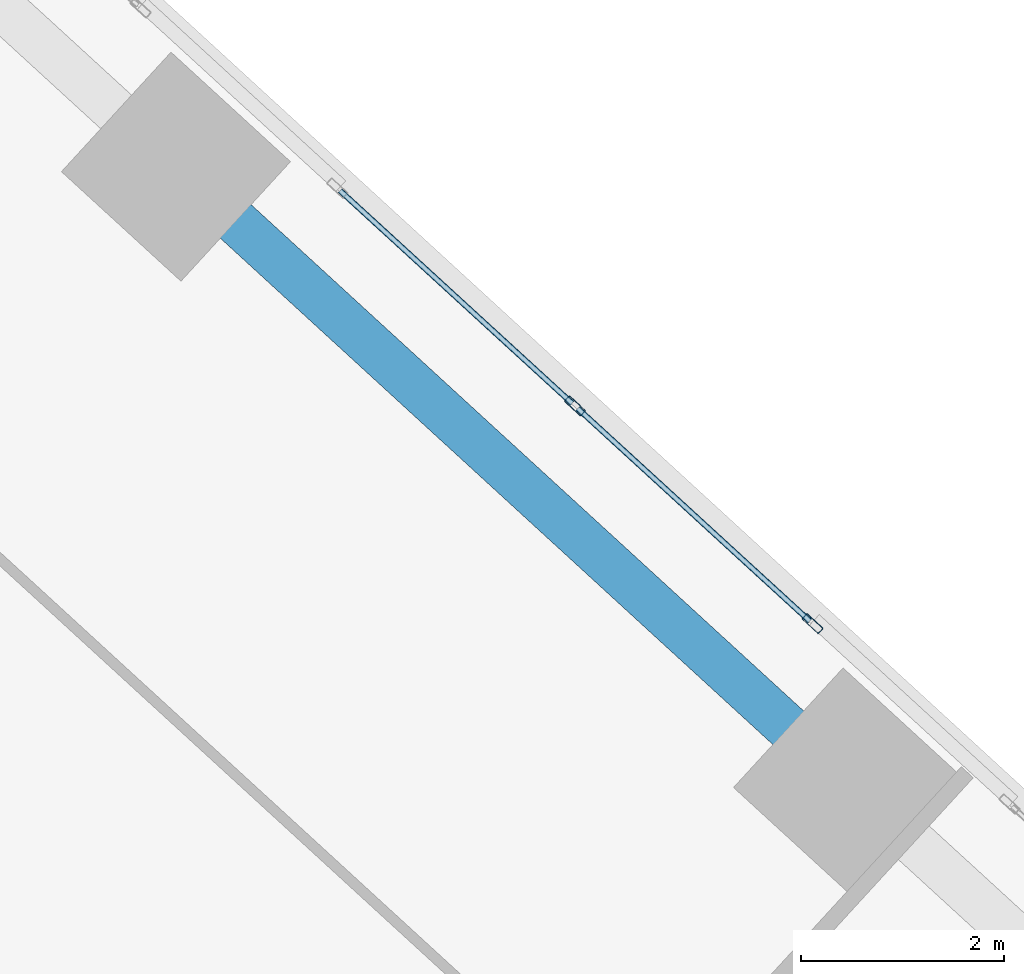
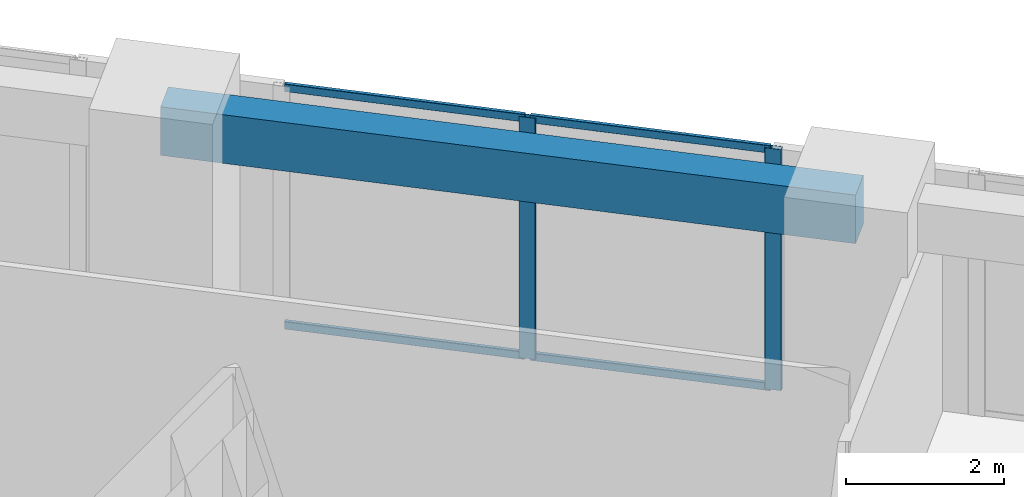
# One storey, part 11 of 18: 6 members, 1 beam, 1 element without a shape of its own.
"""IFC4 building model written with IfcOpenShell, lengths in metres."""

from ifc_helpers import new_model, si_unit, direction, frame, origin, origin_2d, place, context, subcontext, project, spatial, rectangle, hollow_rectangle, extrude, source, transform, mapped, material, material_profile, profile_set, type_object, element, aggregate, save


model = new_model("IFC4")

# Units and contexts
model_context = context("Model", 3, precision=1e-05, world=origin(), true_north=direction((0.0, 1.0)))
body_context = subcontext(model_context, "Body", "Model", "MODEL_VIEW")
ifc_project = project(units=[si_unit("LENGTHUNIT", "METRE"), si_unit("AREAUNIT", "SQUARE_METRE"), si_unit("VOLUMEUNIT", "CUBIC_METRE"), si_unit("PLANEANGLEUNIT", "RADIAN"), si_unit("MASSUNIT", "GRAM", prefix="KILO")], contexts=[model_context])

# Site, building, storey
site_placement = place(None, origin())
site = spatial("IfcSite", under=ifc_project, at=site_placement, CompositionType="ELEMENT")
building_placement = place(site_placement, origin())
building = spatial("IfcBuilding", under=site, at=building_placement, Name="Torre Montelarca", CompositionType="ELEMENT")
storey_placement = place(building_placement, frame((0.0, 0.0, 237.39990234375)))
storey = spatial("IfcBuildingStorey", under=building, at=storey_placement, Name="L53", CompositionType="ELEMENT", Elevation=237.39990234375)

# Beam
ifc_material_1 = material(Name="Concrete C55/67", Category="concrete")
ifc_material_profile_1 = material_profile(ifc_material_1, rectangle(XDim=0.449951171875, YDim=0.75, at=origin_2d()), Name="RCB450X750", Category="concrete")
ifc_profile_set_1 = profile_set([ifc_material_profile_1], Name="Concrete C55/67")
beam_type = type_object("IfcBeamType", Name="BM-SP-RC750-EXT", PredefinedType="SPANDREL", material=ifc_profile_set_1)
shared_shape_1 = source(origin(), body_context, "Body", "SweptSolid", [
    extrude(rectangle(XDim=0.449951171875, YDim=0.75, at=origin_2d()), origin(), (0.0, 0.0, 1.0), 8.999755859375),
])
beam_placement = place(storey_placement, frame((29.15478515625, 45.5341796875, 3.585205078125), z_axis=(0.737290375454, -0.675575978157, 0.0), x_axis=(0.675575978157, 0.737290375454, 0.0)))
element("IfcBeam", 1, at=beam_placement, inside=storey, type_object=beam_type, Name="L53 Grid Girder X 18.0-27.0 at Y=47.1", PredefinedType="SPANDREL", context=body_context, shape_type="MappedRepresentation", body=[
    mapped(shared_shape_1, transform((0.0, 0.0, 0.0), scale=1.0)),
])

# Curtain wall, members
ifc_material_2 = material(Name="Insulated low-E laminated glass", Category="glass")
curtain_wall_type = type_object("IfcCurtainWallType", Name="CW-SYS-Z3", PredefinedType="USERDEFINED", material=ifc_material_2)
curtain_wall_placement = place(storey_placement, origin())
curtain_wall = element("IfcCurtainWall", 2, at=curtain_wall_placement, inside=storey, type_object=curtain_wall_type, Name="L53 Curtain Wall Run CW-T3-L53-E08-B3", ObjectType="UNITISED GLAZING", PredefinedType="USERDEFINED")
ifc_material_3 = material(Name="Anodised aluminium AA 6063-T6", Category="aluminium")
ifc_material_profile_2 = material_profile(ifc_material_3, hollow_rectangle(XDim=0.054931640625, YDim=0.1201171875, WallThickness=0.00341796875, InnerFilletRadius=0.00341796875, OuterFilletRadius=0.007080078125, at=origin_2d()), Name="ALU55X120X3.5", Category="aluminium")
ifc_profile_set_2 = profile_set([ifc_material_profile_2], Name="Anodised aluminium AA 6063-T6")
member_type_1 = type_object("IfcMemberType", Name="CWT-ALU120", PredefinedType="USERDEFINED", material=ifc_profile_set_2)
shared_shape_2 = source(origin(), body_context, "Body", "SweptSolid", [
    extrude(hollow_rectangle(XDim=0.054931640625, YDim=0.1201171875, WallThickness=0.00341796875, InnerFilletRadius=0.00341796875, OuterFilletRadius=0.007080078125, at=origin_2d()), origin(), (0.0, 0.0, 1.0), 3.107421875),
])
member_1_placement = place(storey_placement, frame((35.41259765625, 41.0478515625, 0.027587890625), z_axis=(-0.737271534665, 0.675596539491, 0.0), x_axis=(-0.675596539491, -0.737271534665, 0.0)))
member_1 = element("IfcMember", 3, at=member_1_placement, type_object=member_type_1, Name="CW transom 1.1", ObjectType="TRANSOM", PredefinedType="USERDEFINED", context=body_context, shape_type="MappedRepresentation", body=[
    mapped(shared_shape_2, transform((0.0, 0.0, 0.0), scale=1.0)),
])
member_2_placement = place(storey_placement, frame((35.41259765625, 41.0478515625, 3.692626953125), z_axis=(-0.737271534665, 0.675596539491, 0.0), x_axis=(-0.675596539491, -0.737271534665, 0.0)))
member_2 = element("IfcMember", 4, at=member_2_placement, type_object=member_type_1, Name="CW transom 1.2", ObjectType="TRANSOM", PredefinedType="USERDEFINED", context=body_context, shape_type="MappedRepresentation", body=[
    mapped(shared_shape_2, transform((0.0, 0.0, 0.0), scale=1.0)),
])
member_3_placement = place(storey_placement, frame((33.06640625, 43.19775390625, 0.027587890625), z_axis=(-0.737271534665, 0.675596539491, 0.0), x_axis=(-0.675596539491, -0.737271534665, 0.0)))
member_3 = element("IfcMember", 5, at=member_3_placement, type_object=member_type_1, Name="CW transom 2.1", ObjectType="TRANSOM", PredefinedType="USERDEFINED", context=body_context, shape_type="MappedRepresentation", body=[
    mapped(shared_shape_2, transform((0.0, 0.0, 0.0), scale=1.0)),
])
member_4_placement = place(storey_placement, frame((33.06640625, 43.19775390625, 3.692626953125), z_axis=(-0.737271534665, 0.675596539491, 0.0), x_axis=(-0.675596539491, -0.737271534665, 0.0)))
member_4 = element("IfcMember", 6, at=member_4_placement, type_object=member_type_1, Name="CW transom 2.2", ObjectType="TRANSOM", PredefinedType="USERDEFINED", context=body_context, shape_type="MappedRepresentation", body=[
    mapped(shared_shape_2, transform((0.0, 0.0, 0.0), scale=1.0)),
])
ifc_material_profile_3 = material_profile(ifc_material_3, hollow_rectangle(XDim=0.074951171875, YDim=0.219970703125, WallThickness=0.0048828125, InnerFilletRadius=0.0048828125, OuterFilletRadius=0.010009765625, at=origin_2d()), Name="ALU75X220X5", Category="aluminium")
ifc_profile_set_3 = profile_set([ifc_material_profile_3], Name="Anodised aluminium AA 6063-T6")
member_type_2 = type_object("IfcMemberType", Name="CWM-ALU220", PredefinedType="MULLION", material=ifc_profile_set_3)
shared_shape_3 = source(origin(), body_context, "Body", "SweptSolid", [
    extrude(hollow_rectangle(XDim=0.074951171875, YDim=0.219970703125, WallThickness=0.0048828125, InnerFilletRadius=0.0048828125, OuterFilletRadius=0.010009765625, at=origin_2d()), origin(), (0.0, 0.0, 1.0), 3.72021484375),
])
member_5_placement = place(storey_placement, frame((35.4404296875, 41.0224609375, 0.0), z_axis=(0.0, 0.0, 1.0), x_axis=(-0.675595237064, -0.737272728138, 0.0)))
member_5 = element("IfcMember", 7, at=member_5_placement, type_object=member_type_2, Name="CW mullion 1", PredefinedType="MULLION", context=body_context, shape_type="MappedRepresentation", body=[
    mapped(shared_shape_3, transform((0.0, 0.0, 0.0), scale=1.0)),
])
member_6_placement = place(storey_placement, frame((33.093994140625, 43.172607421875, 0.0), z_axis=(0.0, 0.0, 1.0), x_axis=(-0.675595237064, -0.737272728138, 0.0)))
member_6 = element("IfcMember", 8, at=member_6_placement, type_object=member_type_2, Name="CW mullion 2", PredefinedType="MULLION", context=body_context, shape_type="MappedRepresentation", body=[
    mapped(shared_shape_3, transform((0.0, 0.0, 0.0), scale=1.0)),
])
aggregate(curtain_wall, [member_5, member_6, member_1, member_2, member_3, member_4])

save(model, "model.ifc")
